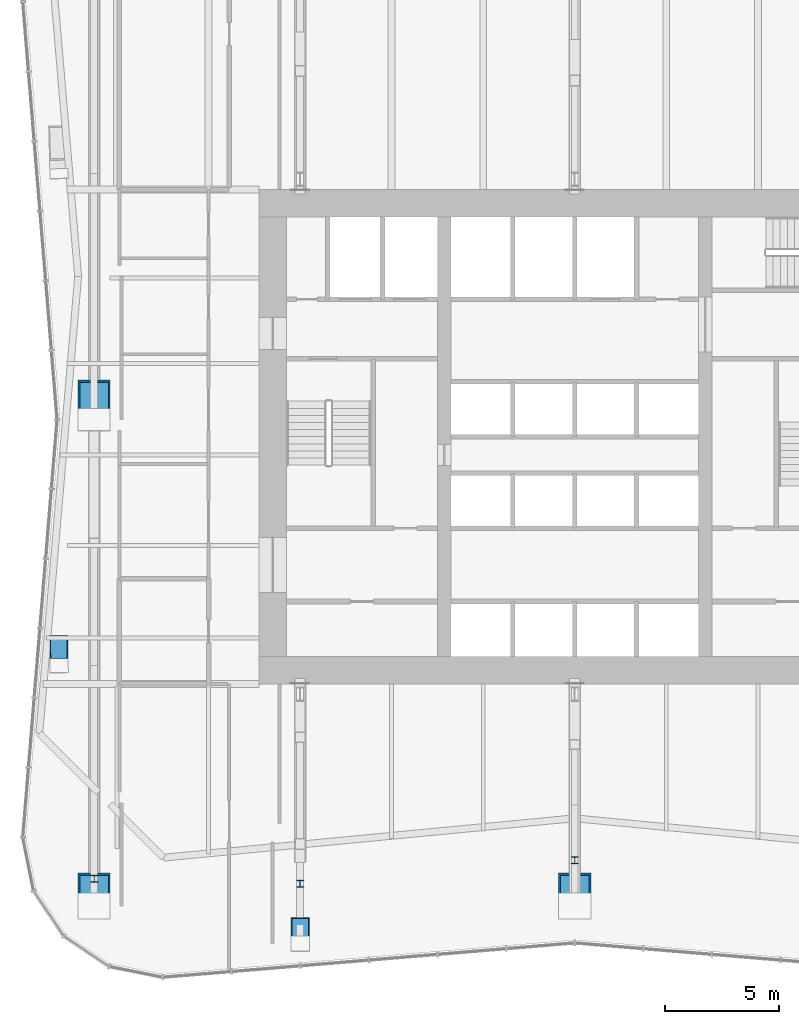
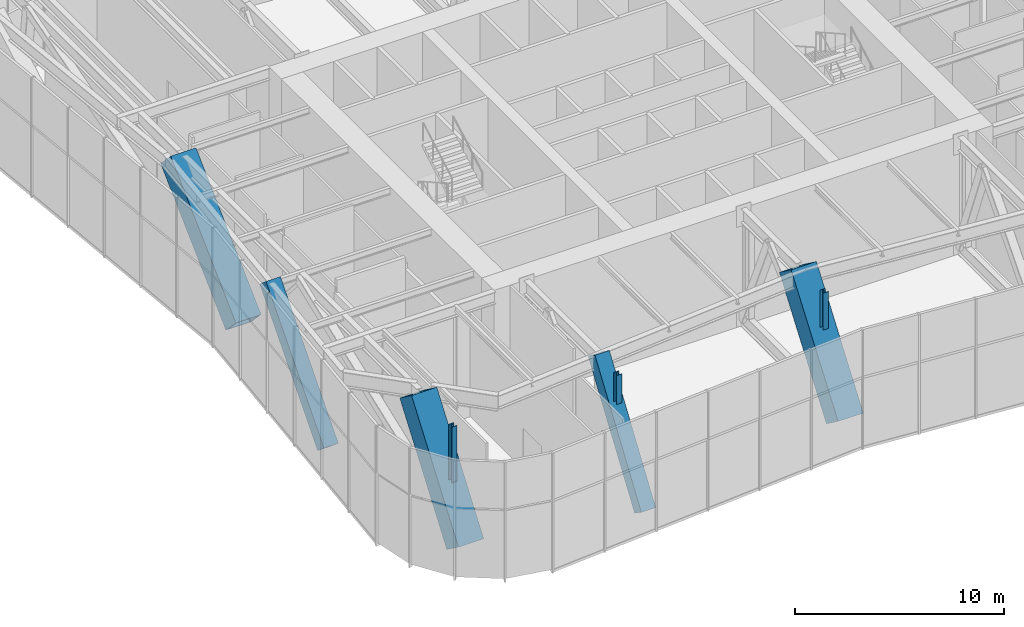
# One storey, part 1 of 17: 8 columns.
"""IFC4 building model written with IfcOpenShell, lengths in metres."""

from ifc_helpers import new_model, si_unit, direction, frame, origin, origin_2d, place, context, subcontext, project, spatial, hollow_rectangle, i_section, extrude, material, material_profile, profile_set, type_object, element, save


model = new_model("IFC4")

# Units and contexts
model_context = context("Model", 3, precision=1e-05, world=origin(), true_north=direction((0.0, 1.0)))
body_context = subcontext(model_context, "Body", "Model", "MODEL_VIEW")
ifc_project = project(units=[si_unit("LENGTHUNIT", "METRE"), si_unit("AREAUNIT", "SQUARE_METRE"), si_unit("VOLUMEUNIT", "CUBIC_METRE"), si_unit("PLANEANGLEUNIT", "RADIAN"), si_unit("MASSUNIT", "GRAM", prefix="KILO")], contexts=[model_context])

# Site, building, storey
site_placement = place(None, origin())
site = spatial("IfcSite", under=ifc_project, at=site_placement, CompositionType="ELEMENT")
building_placement = place(site_placement, origin())
building = spatial("IfcBuilding", under=site, at=building_placement, Name="Verdant Reach Tower", CompositionType="ELEMENT")
storey_placement = place(building_placement, frame((0.0, 0.0, 114.0)))
storey = spatial("IfcBuildingStorey", under=building, at=storey_placement, Name="L26 Plant", CompositionType="ELEMENT", Elevation=114.0)

# Columns
ifc_material = material(Name="Steel S460", Category="steel")
ifc_material_profile_1 = material_profile(ifc_material, hollow_rectangle(XDim=1.39990234375, YDim=1.39990234375, WallThickness=0.080078125, at=origin_2d()), Name="WB 1400x1400x80")
ifc_profile_set_1 = profile_set([ifc_material_profile_1], Name="Steel S460")
column_type_1 = type_object("IfcColumnType", Name="ST-COL-WB1400x1400x80", PredefinedType="COLUMN", material=ifc_profile_set_1)
for number, where, z_axis, x_axis, name in (
    (1, (0.0, 7.5, 0.43115234375), (0.0, 0.591280217963, 0.806466182704), (-1.0, 0.0, 0.0), "Mega column south, L26 Plant"),
    (2, (-21.0, 7.5, 0.43115234375), (0.0, 0.591280217963, 0.806466182704), (-1.0, 0.0, 0.0), "Mega column south-west, L26 Plant"),
):
    element("IfcColumn", number, at=place(storey_placement, frame(where, z_axis=z_axis, x_axis=x_axis)), inside=storey, type_object=column_type_1, Name=name, PredefinedType="COLUMN", context=body_context, shape_type="SweptSolid", body=[
        extrude(hollow_rectangle(XDim=1.39990234375, YDim=1.39990234375, WallThickness=0.080078125, at=origin_2d()), origin(), (0.0, 0.0, 1.0), 7.610595703125),
    ])
column_1_placement = place(storey_placement, frame((-21.0, 28.75, 0.51708984375), z_axis=(0.0, 0.723360676074, 0.690470370334), x_axis=(-1.0, 0.0, 0.0)))
element("IfcColumn", 3, at=column_1_placement, inside=storey, type_object=column_type_1, Name="Mega column west, L26 Plant", PredefinedType="COLUMN", context=body_context, shape_type="SweptSolid", body=[
    extrude(hollow_rectangle(XDim=1.39990234375, YDim=1.39990234375, WallThickness=0.080078125, at=origin_2d()), origin(), (0.0, 0.0, 1.0), 8.64013671875),
])
ifc_material_profile_2 = material_profile(ifc_material, hollow_rectangle(XDim=0.800048828125, YDim=0.800048828125, WallThickness=0.0400390625, at=origin_2d()), Name="WB 800x800x40")
ifc_profile_set_2 = profile_set([ifc_material_profile_2], Name="Steel S460")
column_type_2 = type_object("IfcColumnType", Name="ST-COL-WB800x800x40", PredefinedType="COLUMN", material=ifc_profile_set_2)
column_2_placement = place(storey_placement, frame((-12.0, 5.85009765625, 0.253173828125), z_axis=(0.0, 0.565283029437, 0.824897021834), x_axis=(-1.0, 0.0, 0.0)))
element("IfcColumn", 4, at=column_2_placement, inside=storey, type_object=column_type_2, Name="Perimeter column south 1, L26 Plant", PredefinedType="COLUMN", context=body_context, shape_type="SweptSolid", body=[
    extrude(hollow_rectangle(XDim=0.800048828125, YDim=0.800048828125, WallThickness=0.0400390625, at=origin_2d()), origin(), (0.0, 0.0, 1.0), 7.8720703125),
])
column_3_placement = place(storey_placement, frame((-22.53369140625, 18.0, 0.286865234375), z_axis=(-0.003405838168, 0.650226459736, 0.759732815748), x_axis=(-0.999986282347, -0.005237854284, 0.0)))
element("IfcColumn", 5, at=column_3_placement, inside=storey, type_object=column_type_2, Name="Perimeter column west 1, L26 Plant", PredefinedType="COLUMN", context=body_context, shape_type="SweptSolid", body=[
    extrude(hollow_rectangle(XDim=0.800048828125, YDim=0.800048828125, WallThickness=0.0400390625, at=origin_2d()), origin(), (0.0, 0.0, 1.0), 8.45849609375),
])
ifc_material_profile_3 = material_profile(ifc_material, i_section(OverallWidth=0.300048828125, OverallDepth=0.300048828125, WebThickness=0.010986328125, FlangeThickness=0.01904296875, FilletRadius=0.027099609375, at=origin_2d()), Name="HEB 300")
ifc_profile_set_3 = profile_set([ifc_material_profile_3], Name="Steel S460")
column_type_3 = type_object("IfcColumnType", Name="ST-DECK-POST-HEB300", PredefinedType="COLUMN", material=ifc_profile_set_3)
column_4_placement = place(storey_placement, frame((0.0, 9.485595703125, 4.527587890625), z_axis=(0.0, 0.0, 1.0), x_axis=(1.0, 0.0, 0.0)))
element("IfcColumn", 6, at=column_4_placement, inside=storey, type_object=column_type_3, Name="Terrace deck post, column M-S, L26 Plant", PredefinedType="COLUMN", context=body_context, shape_type="SweptSolid", body=[
    extrude(i_section(OverallWidth=0.300048828125, OverallDepth=0.300048828125, WebThickness=0.010986328125, FlangeThickness=0.01904296875, FilletRadius=0.027099609375, at=origin_2d()), origin(), (0.0, 0.0, 1.0), 2.17236328125),
])
column_5_placement = place(storey_placement, frame((-21.0, 8.685546875, 3.4365234375), z_axis=(0.0, 0.0, 1.0), x_axis=(1.0, 0.0, 0.0)))
element("IfcColumn", 7, at=column_5_placement, inside=storey, type_object=column_type_3, Name="Terrace deck post, column M-SW, L26 Plant", PredefinedType="COLUMN", context=body_context, shape_type="SweptSolid", body=[
    extrude(i_section(OverallWidth=0.300048828125, OverallDepth=0.300048828125, WebThickness=0.010986328125, FlangeThickness=0.01904296875, FilletRadius=0.027099609375, at=origin_2d()), origin(), (0.0, 0.0, 1.0), 3.263427734375),
])
column_6_placement = place(storey_placement, frame((-12.0, 8.469970703125, 5.0029296875), z_axis=(0.0, 0.0, 1.0), x_axis=(1.0, 0.0, 0.0)))
element("IfcColumn", 8, at=column_6_placement, inside=storey, type_object=column_type_3, Name="Terrace deck post, column P-S1, L26 Plant", PredefinedType="COLUMN", context=body_context, shape_type="SweptSolid", body=[
    extrude(i_section(OverallWidth=0.300048828125, OverallDepth=0.300048828125, WebThickness=0.010986328125, FlangeThickness=0.01904296875, FilletRadius=0.027099609375, at=origin_2d()), origin(), (0.0, 0.0, 1.0), 1.697021484375),
])

save(model, "model.ifc")
